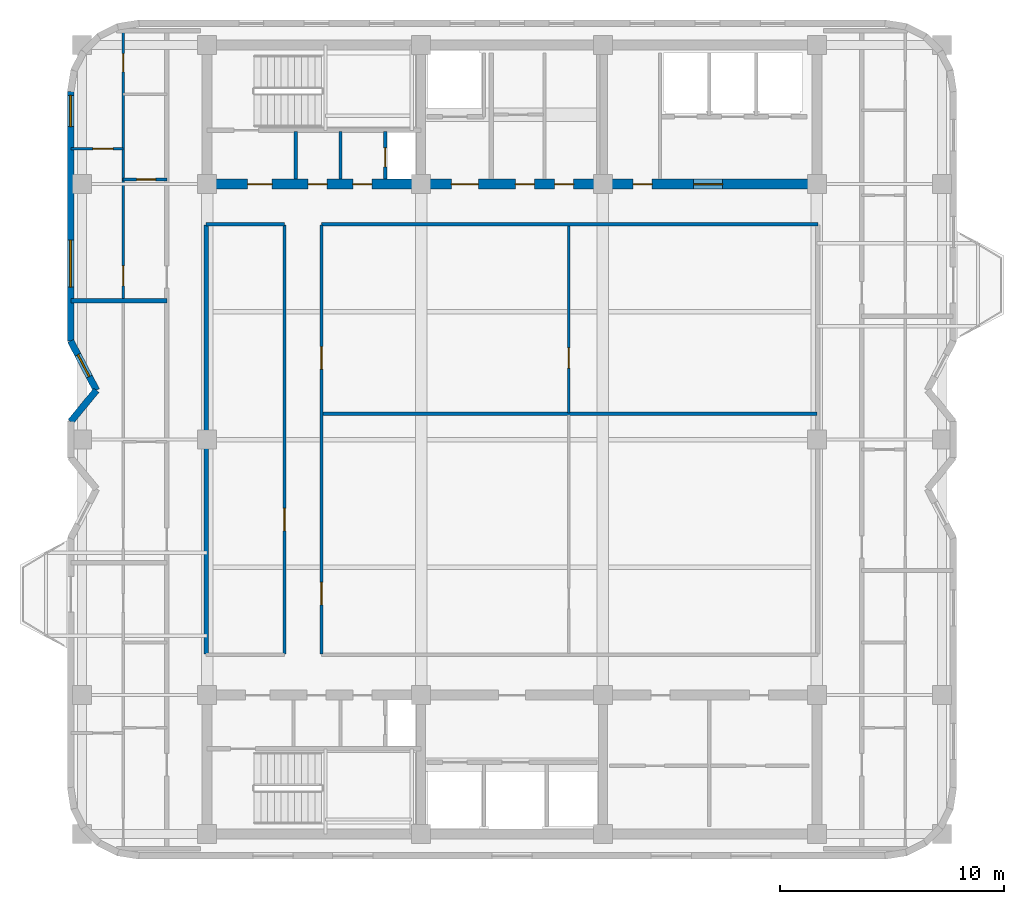
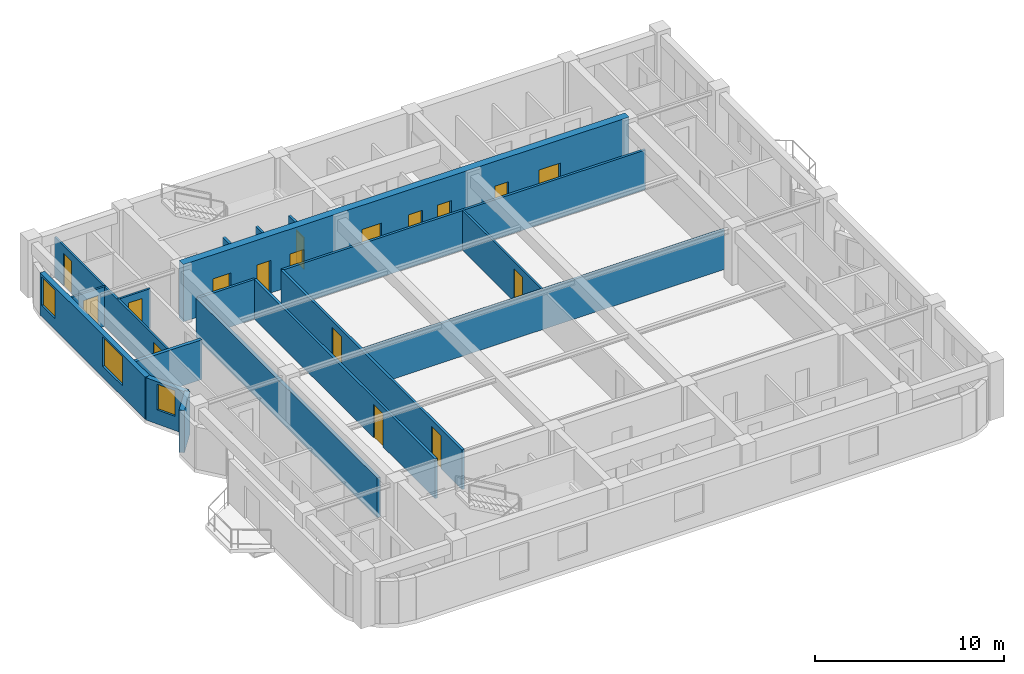
# One storey, part 4 of 9: 18 walls, 17 doors, 3 windows, 20 openings.
"""IFC4 building model written with IfcOpenShell, lengths in metres."""

from ifc_helpers import new_model, si_unit, direction, frame, frame_2d, origin, place, context, subcontext, project, spatial, rectangle, extrude, material, layer, layer_set, type_object, element, fill, save


model = new_model("IFC4")

# Units and contexts
model_context = context("Model", 3, precision=1e-05, world=origin(), true_north=direction((0.0, 1.0)))
body_context = subcontext(model_context, "Body", "Model", "MODEL_VIEW")
ifc_project = project(units=[si_unit("LENGTHUNIT", "METRE"), si_unit("AREAUNIT", "SQUARE_METRE"), si_unit("VOLUMEUNIT", "CUBIC_METRE"), si_unit("PLANEANGLEUNIT", "RADIAN"), si_unit("MASSUNIT", "GRAM", prefix="KILO")], contexts=[model_context])

# Site, building, storey
site_placement = place(None, origin())
site = spatial("IfcSite", under=ifc_project, at=site_placement, CompositionType="ELEMENT")
building_placement = place(site_placement, origin())
building = spatial("IfcBuilding", under=site, at=building_placement, Name="Svetorya Sky Lyceum", CompositionType="ELEMENT")
storey_placement = place(building_placement, frame((0.0, 0.0, 240.60009765625)))
storey = spatial("IfcBuildingStorey", under=building, at=storey_placement, Name="L60", CompositionType="ELEMENT", Elevation=240.60009765625)

# Wall, openings, doors
ifc_material_1 = material(Name="Concrete C50/60", Category="concrete")
ifc_layer_1 = layer(ifc_material_1, 0.449951171875)
ifc_layer_set_1 = layer_set([ifc_layer_1], Name="Concrete C50/60")
wall_type_1 = type_object("IfcWallType", Name="WL-CORE-450", PredefinedType="SHEAR", material=ifc_layer_set_1)
wall_1_placement = place(storey_placement, frame((52.800048828125, 39.60009765625, 0.0), z_axis=(0.0, 0.0, 1.0), x_axis=(-1.0, 0.0, 0.0)))
wall_1 = element("IfcWall", 1, at=wall_1_placement, inside=storey, type_object=wall_type_1, Name="L60 NC Inner Core Shear Wall", PredefinedType="SHEAR", context=body_context, shape_type="SweptSolid", body=[
    extrude(rectangle(XDim=27.199951171875, YDim=0.449951171875, at=frame_2d((13.60009765625, 0.0))), origin(), (0.0, 0.0, 1.0), 3.699951171875),
])
opening_1_placement = place(wall_1_placement, frame((24.300048828125, 0.0, 0.0)))
opening_1 = element("IfcOpeningElement", 2, at=opening_1_placement, cuts=wall_1, Name="Opening D-ST1", PredefinedType="OPENING", context=body_context, shape_type="SweptSolid", body=[
    extrude(rectangle(XDim=1.10009765625, YDim=2.14990234375, at=frame_2d((0.550048828125, 1.074951171875))), frame((0.0, 0.23486328125, 0.0), z_axis=(0.0, -1.0, 0.0), x_axis=(1.0, 0.0, 0.0)), (0.0, 0.0, 1.0), 0.469970703125),
])
opening_2_placement = place(wall_1_placement, frame((21.85009765625, 0.0, 0.0)))
opening_2 = element("IfcOpeningElement", 3, at=opening_2_placement, cuts=wall_1, Name="Opening D-CWC1", PredefinedType="OPENING", context=body_context, shape_type="SweptSolid", body=[
    extrude(rectangle(XDim=0.85009765625, YDim=2.10009765625, at=frame_2d((0.425048828125, 1.050048828125))), frame((0.0, 0.23486328125, 0.0), z_axis=(0.0, -1.0, 0.0), x_axis=(1.0, 0.0, 0.0)), (0.0, 0.0, 1.0), 0.469970703125),
])
opening_3_placement = place(wall_1_placement, frame((19.85009765625, 0.0, 0.0)))
opening_3 = element("IfcOpeningElement", 4, at=opening_3_placement, cuts=wall_1, Name="Opening D-CWC1", PredefinedType="OPENING", context=body_context, shape_type="SweptSolid", body=[
    extrude(rectangle(XDim=0.85009765625, YDim=2.10009765625, at=frame_2d((0.425048828125, 1.050048828125))), frame((0.0, 0.23486328125, 0.0), z_axis=(0.0, -1.0, 0.0), x_axis=(1.0, 0.0, 0.0)), (0.0, 0.0, 1.0), 0.469970703125),
])
opening_4_placement = place(wall_1_placement, frame((15.10009765625, 0.0, 0.0)))
opening_4 = element("IfcOpeningElement", 5, at=opening_4_placement, cuts=wall_1, Name="Opening D-FL1", PredefinedType="OPENING", context=body_context, shape_type="SweptSolid", body=[
    extrude(rectangle(XDim=1.199951171875, YDim=2.14990234375, at=frame_2d((0.60009765625, 1.074951171875))), frame((0.0, 0.23486328125, 0.0), z_axis=(0.0, -1.0, 0.0), x_axis=(1.0, 0.0, 0.0)), (0.0, 0.0, 1.0), 0.469970703125),
])
opening_5_placement = place(wall_1_placement, frame((12.60009765625, 0.0, 0.0)))
opening_5 = element("IfcOpeningElement", 6, at=opening_5_placement, cuts=wall_1, Name="Opening D-CWC1", PredefinedType="OPENING", context=body_context, shape_type="SweptSolid", body=[
    extrude(rectangle(XDim=0.85009765625, YDim=2.10009765625, at=frame_2d((0.425048828125, 1.050048828125))), frame((0.0, 0.23486328125, 0.0), z_axis=(0.0, -1.0, 0.0), x_axis=(1.0, 0.0, 0.0)), (0.0, 0.0, 1.0), 0.469970703125),
])
opening_6_placement = place(wall_1_placement, frame((10.85009765625, 0.0, 0.0)))
opening_6 = element("IfcOpeningElement", 7, at=opening_6_placement, cuts=wall_1, Name="Opening D-CWC1", PredefinedType="OPENING", context=body_context, shape_type="SweptSolid", body=[
    extrude(rectangle(XDim=0.85009765625, YDim=2.10009765625, at=frame_2d((0.425048828125, 1.050048828125))), frame((0.0, 0.23486328125, 0.0), z_axis=(0.0, -1.0, 0.0), x_axis=(1.0, 0.0, 0.0)), (0.0, 0.0, 1.0), 0.469970703125),
])
opening_7_placement = place(wall_1_placement, frame((7.35009765625, 0.0, 0.0)))
opening_7 = element("IfcOpeningElement", 8, at=opening_7_placement, cuts=wall_1, Name="Opening D-CWC1", PredefinedType="OPENING", context=body_context, shape_type="SweptSolid", body=[
    extrude(rectangle(XDim=0.85009765625, YDim=2.10009765625, at=frame_2d((0.425048828125, 1.050048828125))), frame((0.0, 0.23486328125, 0.0), z_axis=(0.0, -1.0, 0.0), x_axis=(1.0, 0.0, 0.0)), (0.0, 0.0, 1.0), 0.469970703125),
])
opening_8_placement = place(wall_1_placement, frame((4.199951171875, 0.0, 0.0)))
opening_8 = element("IfcOpeningElement", 9, at=opening_8_placement, cuts=wall_1, Name="Opening D-LB1", PredefinedType="OPENING", context=body_context, shape_type="SweptSolid", body=[
    extrude(rectangle(XDim=1.300048828125, YDim=2.199951171875, at=frame_2d((0.64990234375, 1.10009765625))), frame((0.0, 0.23486328125, 0.0), z_axis=(0.0, -1.0, 0.0), x_axis=(1.0, 0.0, 0.0)), (0.0, 0.0, 1.0), 0.469970703125),
])
ifc_material_2 = material(Name="Fire-rated galvanized steel core service closet door", Category="steel")
door_type_1 = type_object("IfcDoorType", Name="DR-CWET-850", OperationType="SINGLE_SWING_LEFT", PredefinedType="DOOR", material=ifc_material_2)
door_1_placement = place(opening_2_placement, origin())
door_1 = element("IfcDoor", 10, at=door_1_placement, inside=storey, type_object=door_type_1, Name="L60 North Cleaner Door", OperationType="SINGLE_SWING_RIGHT", OverallHeight=2.10009765625, OverallWidth=0.85009765625, PredefinedType="DOOR", context=body_context, shape_type="SweptSolid", body=[
    extrude(rectangle(XDim=0.85009765625, YDim=2.10009765625, at=frame_2d((0.425048828125, 1.050048828125))), frame((0.0, 0.02490234375, 0.0), z_axis=(0.0, -1.0, 0.0), x_axis=(1.0, 0.0, 0.0)), (0.0, 0.0, 1.0), 0.050048828125),
])
fill(opening_2, door_1)
door_2_placement = place(opening_3_placement, origin())
door_2 = element("IfcDoor", 11, at=door_2_placement, inside=storey, type_object=door_type_1, Name="L60 North Meter Door", OperationType="SINGLE_SWING_LEFT", OverallHeight=2.10009765625, OverallWidth=0.85009765625, PredefinedType="DOOR", context=body_context, shape_type="SweptSolid", body=[
    extrude(rectangle(XDim=0.85009765625, YDim=2.10009765625, at=frame_2d((0.425048828125, 1.050048828125))), frame((0.0, 0.02490234375, 0.0), z_axis=(0.0, -1.0, 0.0), x_axis=(1.0, 0.0, 0.0)), (0.0, 0.0, 1.0), 0.050048828125),
])
fill(opening_3, door_2)
door_3_placement = place(opening_5_placement, origin())
door_3 = element("IfcDoor", 12, at=door_3_placement, inside=storey, type_object=door_type_1, Name="L60 Cleaner Vestibule Door", OperationType="SINGLE_SWING_LEFT", OverallHeight=2.10009765625, OverallWidth=0.85009765625, PredefinedType="DOOR", context=body_context, shape_type="SweptSolid", body=[
    extrude(rectangle(XDim=0.85009765625, YDim=2.10009765625, at=frame_2d((0.425048828125, 1.050048828125))), frame((0.0, 0.02490234375, 0.0), z_axis=(0.0, -1.0, 0.0), x_axis=(1.0, 0.0, 0.0)), (0.0, 0.0, 1.0), 0.050048828125),
])
fill(opening_5, door_3)
door_4_placement = place(opening_6_placement, origin())
door_4 = element("IfcDoor", 13, at=door_4_placement, inside=storey, type_object=door_type_1, Name="L60 Upper Pram Store Door", OperationType="SINGLE_SWING_RIGHT", OverallHeight=2.10009765625, OverallWidth=0.85009765625, PredefinedType="DOOR", context=body_context, shape_type="SweptSolid", body=[
    extrude(rectangle(XDim=0.85009765625, YDim=2.10009765625, at=frame_2d((0.425048828125, 1.050048828125))), frame((0.0, 0.02490234375, 0.0), z_axis=(0.0, -1.0, 0.0), x_axis=(1.0, 0.0, 0.0)), (0.0, 0.0, 1.0), 0.050048828125),
])
fill(opening_6, door_4)
door_5_placement = place(opening_7_placement, origin())
door_5 = element("IfcDoor", 14, at=door_5_placement, inside=storey, type_object=door_type_1, Name="L60 High-Zone Utility Room Door", OperationType="SINGLE_SWING_LEFT", OverallHeight=2.10009765625, OverallWidth=0.85009765625, PredefinedType="DOOR", context=body_context, shape_type="SweptSolid", body=[
    extrude(rectangle(XDim=0.85009765625, YDim=2.10009765625, at=frame_2d((0.425048828125, 1.050048828125))), frame((0.0, 0.02490234375, 0.0), z_axis=(0.0, -1.0, 0.0), x_axis=(1.0, 0.0, 0.0)), (0.0, 0.0, 1.0), 0.050048828125),
])
fill(opening_7, door_5)
ifc_material_3 = material(Name="Powder-coated insulated galvanized stair fire door")
door_type_2 = type_object("IfcDoorType", Name="DR-FIRE-1100", OperationType="SINGLE_SWING_LEFT", PredefinedType="DOOR", material=ifc_material_3)
door_6_placement = place(opening_1_placement, origin())
door_6 = element("IfcDoor", 15, at=door_6_placement, inside=storey, type_object=door_type_2, Name="L60 North Stair Airlock Door", OperationType="SINGLE_SWING_LEFT", OverallHeight=2.14990234375, OverallWidth=1.10009765625, PredefinedType="DOOR", context=body_context, shape_type="SweptSolid", body=[
    extrude(rectangle(XDim=1.10009765625, YDim=2.14990234375, at=frame_2d((0.550048828125, 1.074951171875))), frame((0.0, 0.02490234375, 0.0), z_axis=(0.0, -1.0, 0.0), x_axis=(1.0, 0.0, 0.0)), (0.0, 0.0, 1.0), 0.050048828125),
])
fill(opening_1, door_6)
ifc_material_4 = material(Name="Powder-coated insulated galvanized fire door")
door_type_3 = type_object("IfcDoorType", Name="DR-FIRE-1200", OperationType="SINGLE_SWING_LEFT", PredefinedType="DOOR", material=ifc_material_4)
door_7_placement = place(opening_4_placement, origin())
door_7 = element("IfcDoor", 16, at=door_7_placement, inside=storey, type_object=door_type_3, Name="L60 North Firefighting Lift Lobby Door", OperationType="SINGLE_SWING_RIGHT", OverallHeight=2.14990234375, OverallWidth=1.199951171875, PredefinedType="DOOR", context=body_context, shape_type="SweptSolid", body=[
    extrude(rectangle(XDim=1.199951171875, YDim=2.14990234375, at=frame_2d((0.60009765625, 1.074951171875))), frame((0.0, 0.02490234375, 0.0), z_axis=(0.0, -1.0, 0.0), x_axis=(1.0, 0.0, 0.0)), (0.0, 0.0, 1.0), 0.050048828125),
])
fill(opening_4, door_7)
ifc_material_5 = material(Name="Glazed fire-rated aluminium lobby door", Category="aluminium")
door_type_4 = type_object("IfcDoorType", Name="DR-LOB-1300", OperationType="SINGLE_SWING_LEFT", PredefinedType="DOOR", material=ifc_material_5)
door_8_placement = place(opening_8_placement, origin())
door_8 = element("IfcDoor", 17, at=door_8_placement, inside=storey, type_object=door_type_4, Name="L60 North Passenger Lift Lobby Door", OperationType="SINGLE_SWING_LEFT", OverallHeight=2.199951171875, OverallWidth=1.300048828125, PredefinedType="DOOR", context=body_context, shape_type="SweptSolid", body=[
    extrude(rectangle(XDim=1.300048828125, YDim=2.199951171875, at=frame_2d((0.64990234375, 1.10009765625))), frame((0.0, 0.02490234375, 0.0), z_axis=(0.0, -1.0, 0.0), x_axis=(1.0, 0.0, 0.0)), (0.0, 0.0, 1.0), 0.050048828125),
])
fill(opening_8, door_8)

# Wall, openings, windows
ifc_material_6 = material(Name="Putilovo limestone rainscreen on autoclaved cellular masonry", Category="masonry")
ifc_layer_2 = layer(ifc_material_6, 0.300048828125)
ifc_layer_set_2 = layer_set([ifc_layer_2], Name="Putilovo limestone rainscreen on autoclaved cellular masonry")
wall_type_2 = type_object("IfcWallType", Name="WL-EXT-300", PredefinedType="SOLIDWALL", material=ifc_layer_set_2)
wall_2_placement = place(storey_placement, frame((19.510009765625, 43.719970703125, 0.0), z_axis=(0.0, 0.0, 1.0), x_axis=(0.0, -1.0, 0.0)))
wall_2 = element("IfcWall", 18, at=wall_2_placement, inside=storey, type_object=wall_type_2, Name="L60 Limestone Exterior Wall 30M", PredefinedType="SOLIDWALL", context=body_context, shape_type="SweptSolid", body=[
    extrude(rectangle(XDim=11.119873046875, YDim=0.300048828125, at=frame_2d((5.56005859375, 0.0))), origin(), (0.0, 0.0, 1.0), 2.72998046875),
])
opening_9_placement = place(wall_2_placement, frame((0.159912109375, 0.0, 0.719970703125)))
opening_9 = element("IfcOpeningElement", 19, at=opening_9_placement, cuts=wall_2, Name="Opening W-R2", PredefinedType="OPENING", context=body_context, shape_type="SweptSolid", body=[
    extrude(rectangle(XDim=1.39990234375, YDim=1.85009765625, at=frame_2d((0.699951171875, 0.925048828125))), frame((0.0, 0.159912109375, 0.0), z_axis=(0.0, -1.0, 0.0), x_axis=(1.0, 0.0, 0.0)), (0.0, 0.0, 1.0), 0.320068359375),
])
opening_10_placement = place(wall_2_placement, frame((6.614990234375, 0.0, 0.7099609375)))
opening_10 = element("IfcOpeningElement", 20, at=opening_10_placement, cuts=wall_2, Name="Opening W-R0", PredefinedType="OPENING", context=body_context, shape_type="SweptSolid", body=[
    extrude(rectangle(XDim=2.10009765625, YDim=1.89990234375, at=frame_2d((1.050048828125, 0.949951171875))), frame((0.0, 0.159912109375, 0.0), z_axis=(0.0, -1.0, 0.0), x_axis=(1.0, 0.0, 0.0)), (0.0, 0.0, 1.0), 0.320068359375),
])
ifc_material_7 = material(Name="Thermally broken aluminium frame with triple low-E glazing", Category="aluminium")
window_type_1 = type_object("IfcWindowType", Name="WN-RES-140", PartitioningType="SINGLE_PANEL", PredefinedType="WINDOW", material=ifc_material_7)
window_1_placement = place(opening_9_placement, origin())
window_1 = element("IfcWindow", 21, at=window_1_placement, inside=storey, type_object=window_type_1, Name="L60 Facade Window W-R2.30M.2", OverallHeight=1.85009765625, OverallWidth=1.39990234375, PartitioningType="SINGLE_PANEL", PredefinedType="WINDOW", context=body_context, shape_type="SweptSolid", body=[
    extrude(rectangle(XDim=1.39990234375, YDim=1.85009765625, at=frame_2d((0.699951171875, 0.925048828125))), frame((0.0, 0.030029296875, 0.0), z_axis=(0.0, -1.0, 0.0), x_axis=(1.0, 0.0, 0.0)), (0.0, 0.0, 1.0), 0.06005859375),
])
fill(opening_9, window_1)
window_type_2 = type_object("IfcWindowType", Name="WN-RES-210", PartitioningType="TRIPLE_PANEL_VERTICAL", PredefinedType="WINDOW", material=ifc_material_7)
window_2_placement = place(opening_10_placement, origin())
window_2 = element("IfcWindow", 22, at=window_2_placement, inside=storey, type_object=window_type_2, Name="L60 Facade Window W-R0.30M.1", OverallHeight=1.89990234375, OverallWidth=2.10009765625, PartitioningType="SINGLE_PANEL", PredefinedType="WINDOW", context=body_context, shape_type="SweptSolid", body=[
    extrude(rectangle(XDim=2.10009765625, YDim=1.89990234375, at=frame_2d((1.050048828125, 0.949951171875))), frame((0.0, 0.030029296875, 0.0), z_axis=(0.0, -1.0, 0.0), x_axis=(1.0, 0.0, 0.0)), (0.0, 0.0, 1.0), 0.06005859375),
])
fill(opening_10, window_2)

# Wall, opening, window
wall_3_placement = place(storey_placement, frame((19.510009765625, 32.60009765625, 0.0), z_axis=(0.0, 0.0, 1.0), x_axis=(0.463191013929, -0.88625847506, 0.0)))
wall_3 = element("IfcWall", 23, at=wall_3_placement, inside=storey, type_object=wall_type_2, Name="L60 Limestone Exterior Wall 31M", PredefinedType="SOLIDWALL", context=body_context, shape_type="SweptSolid", body=[
    extrude(rectangle(XDim=2.482666015625, YDim=0.300048828125, at=frame_2d((1.2412109375, 0.0))), origin(), (0.0, 0.0, 1.0), 2.72998046875),
])
opening_11_placement = place(wall_3_placement, frame((0.691162109375, 0.0, 0.919921875)))
opening_11 = element("IfcOpeningElement", 24, at=opening_11_placement, cuts=wall_3, Name="Opening W-R3", PredefinedType="OPENING", context=body_context, shape_type="SweptSolid", body=[
    extrude(rectangle(XDim=1.10009765625, YDim=1.64990234375, at=frame_2d((0.550048828125, 0.824951171875))), frame((0.0, 0.159912109375, 0.0), z_axis=(0.0, -1.0, 0.0), x_axis=(1.0, 0.0, 0.0)), (0.0, 0.0, 1.0), 0.320068359375),
])
window_type_3 = type_object("IfcWindowType", Name="WN-RES-110", PartitioningType="SINGLE_PANEL", PredefinedType="WINDOW", material=ifc_material_7)
window_3_placement = place(opening_11_placement, origin())
window_3 = element("IfcWindow", 25, at=window_3_placement, inside=storey, type_object=window_type_3, Name="L60 Facade Window W-R3.31M.1", OverallHeight=1.64990234375, OverallWidth=1.10009765625, PartitioningType="SINGLE_PANEL", PredefinedType="WINDOW", context=body_context, shape_type="SweptSolid", body=[
    extrude(rectangle(XDim=1.10009765625, YDim=1.64990234375, at=frame_2d((0.550048828125, 0.824951171875))), frame((0.0, 0.030029296875, 0.0), z_axis=(0.0, -1.0, 0.0), x_axis=(1.0, 0.0, 0.0)), (0.0, 0.0, 1.0), 0.06005859375),
])
fill(opening_11, window_3)

# Wall
wall_4_placement = place(storey_placement, frame((20.659912109375, 30.39990234375, 0.0), z_axis=(0.0, 0.0, 1.0), x_axis=(-0.634733675645, -0.772730975827, 0.0)))
element("IfcWall", 26, at=wall_4_placement, inside=storey, type_object=wall_type_2, Name="L60 Limestone Exterior Wall 32M", PredefinedType="SOLIDWALL", context=body_context, shape_type="SweptSolid", body=[
    extrude(rectangle(XDim=1.8115234375, YDim=0.300048828125, at=frame_2d((0.90576171875, 0.0))), origin(), (0.0, 0.0, 1.0), 2.72998046875),
])

# Wall, opening, door
ifc_material_8 = material(Name="Twin-stud galvanized framing with double fireboard", Category="gypsum")
ifc_layer_3 = layer(ifc_material_8, 0.1201171875)
ifc_layer_set_3 = layer_set([ifc_layer_3], Name="Twin-stud galvanized framing with double fireboard")
wall_type_3 = type_object("IfcWallType", Name="WL-PART-120", PredefinedType="PARTITIONING", material=ifc_layer_set_3)
wall_5_placement = place(storey_placement, frame((41.735107421875, 29.388427734375, 0.0), z_axis=(0.0, 0.0, 1.0), x_axis=(0.0, 1.0, 0.0)))
wall_5 = element("IfcWall", 27, at=wall_5_placement, inside=storey, type_object=wall_type_3, Name="L60 Interior Partition OFF-VEM2", PredefinedType="PARTITIONING", context=body_context, shape_type="SweptSolid", body=[
    extrude(rectangle(XDim=8.3515625, YDim=0.1201171875, at=frame_2d((4.17578125, 0.0))), origin(), (0.0, 0.0, 1.0), 2.559814453125),
])
opening_12_placement = place(wall_5_placement, frame((2.0, 0.0, 0.0)))
opening_12 = element("IfcOpeningElement", 28, at=opening_12_placement, cuts=wall_5, Name="Opening D-RM1", PredefinedType="OPENING", context=body_context, shape_type="SweptSolid", body=[
    extrude(rectangle(XDim=0.89990234375, YDim=2.10009765625, at=frame_2d((0.449951171875, 1.050048828125))), frame((0.0, 0.070068359375, 0.0), z_axis=(0.0, -1.0, 0.0), x_axis=(1.0, 0.0, 0.0)), (0.0, 0.0, 1.0), 0.14013671875),
])
ifc_material_9 = material(Name="Lacquered birch veneer internal door")
door_type_5 = type_object("IfcDoorType", Name="DR-INT-900", OperationType="SINGLE_SWING_LEFT", PredefinedType="DOOR", material=ifc_material_9)
door_9_placement = place(opening_12_placement, origin())
door_9 = element("IfcDoor", 29, at=door_9_placement, inside=storey, type_object=door_type_5, Name="L60 East Focus Door", OperationType="SINGLE_SWING_RIGHT", OverallHeight=2.10009765625, OverallWidth=0.89990234375, PredefinedType="DOOR", context=body_context, shape_type="SweptSolid", body=[
    extrude(rectangle(XDim=0.89990234375, YDim=2.10009765625, at=frame_2d((0.449951171875, 1.050048828125))), frame((0.0, 0.02490234375, 0.0), z_axis=(0.0, -1.0, 0.0), x_axis=(1.0, 0.0, 0.0)), (0.0, 0.0, 1.0), 0.050048828125),
])
fill(opening_12, door_9)

wall_6_placement = place(storey_placement, frame((21.85009765625, 39.804931640625, 0.0), z_axis=(0.0, 0.0, 1.0), x_axis=(1.0, 0.0, 0.0)))
wall_6 = element("IfcWall", 30, at=wall_6_placement, inside=storey, type_object=wall_type_3, Name="L60 Interior Partition W3-WH1", PredefinedType="PARTITIONING", context=body_context, shape_type="SweptSolid", body=[
    extrude(rectangle(XDim=1.949951171875, YDim=0.1201171875, at=frame_2d((0.97509765625, 0.0))), origin(), (0.0, 0.0, 1.0), 2.559814453125),
])
opening_13_placement = place(wall_6_placement, frame((0.60009765625, 0.0, 0.0)))
opening_13 = element("IfcOpeningElement", 31, at=opening_13_placement, cuts=wall_6, Name="Opening D-BT1", PredefinedType="OPENING", context=body_context, shape_type="SweptSolid", body=[
    extrude(rectangle(XDim=0.85009765625, YDim=2.10009765625, at=frame_2d((0.425048828125, 1.050048828125))), frame((0.0, 0.070068359375, 0.0), z_axis=(0.0, -1.0, 0.0), x_axis=(1.0, 0.0, 0.0)), (0.0, 0.0, 1.0), 0.14013671875),
])
ifc_material_10 = material(Name="Moisture-resistant laminate bathroom door")
door_type_6 = type_object("IfcDoorType", Name="DR-WET-850", OperationType="SINGLE_SWING_LEFT", PredefinedType="DOOR", material=ifc_material_10)
door_10_placement = place(opening_13_placement, origin())
door_10 = element("IfcDoor", 32, at=door_10_placement, inside=storey, type_object=door_type_6, Name="Apartment W3 Bathroom Door", OperationType="SINGLE_SWING_LEFT", OverallHeight=2.10009765625, OverallWidth=0.85009765625, PredefinedType="DOOR", context=body_context, shape_type="SweptSolid", body=[
    extrude(rectangle(XDim=0.85009765625, YDim=2.10009765625, at=frame_2d((0.425048828125, 1.050048828125))), frame((0.0, 0.02490234375, 0.0), z_axis=(0.0, -1.0, 0.0), x_axis=(1.0, 0.0, 0.0)), (0.0, 0.0, 1.0), 0.050048828125),
])
fill(opening_13, door_10)

wall_7_placement = place(storey_placement, frame((19.530029296875, 41.169921875, 0.0), z_axis=(0.0, 0.0, 1.0), x_axis=(1.0, 0.0, 0.0)))
wall_7 = element("IfcWall", 33, at=wall_7_placement, inside=storey, type_object=wall_type_3, Name="L60 Interior Partition W3-WL1", PredefinedType="PARTITIONING", context=body_context, shape_type="SweptSolid", body=[
    extrude(rectangle(XDim=2.320068359375, YDim=0.1201171875, at=frame_2d((1.16015625, 0.0))), origin(), (0.0, 0.0, 1.0), 2.559814453125),
])
opening_14_placement = place(wall_7_placement, frame((0.969970703125, 0.0, 0.0)))
opening_14 = element("IfcOpeningElement", 34, at=opening_14_placement, cuts=wall_7, Name="Opening D-RM1", PredefinedType="OPENING", context=body_context, shape_type="SweptSolid", body=[
    extrude(rectangle(XDim=0.89990234375, YDim=2.10009765625, at=frame_2d((0.449951171875, 1.050048828125))), frame((0.0, 0.070068359375, 0.0), z_axis=(0.0, -1.0, 0.0), x_axis=(1.0, 0.0, 0.0)), (0.0, 0.0, 1.0), 0.14013671875),
])
door_11_placement = place(opening_14_placement, origin())
door_11 = element("IfcDoor", 35, at=door_11_placement, inside=storey, type_object=door_type_5, Name="Apartment W3 Bedroom 1 Door", OperationType="SINGLE_SWING_LEFT", OverallHeight=2.10009765625, OverallWidth=0.89990234375, PredefinedType="DOOR", context=body_context, shape_type="SweptSolid", body=[
    extrude(rectangle(XDim=0.89990234375, YDim=2.10009765625, at=frame_2d((0.449951171875, 1.050048828125))), frame((0.0, 0.02490234375, 0.0), z_axis=(0.0, -1.0, 0.0), x_axis=(1.0, 0.0, 0.0)), (0.0, 0.0, 1.0), 0.050048828125),
])
fill(opening_14, door_11)

# Wall, openings, doors
wall_8_placement = place(storey_placement, frame((21.85009765625, 34.445068359375, 0.0), z_axis=(0.0, 0.0, 1.0), x_axis=(0.0, 1.0, 0.0)))
wall_8 = element("IfcWall", 36, at=wall_8_placement, inside=storey, type_object=wall_type_3, Name="L60 Interior Partition W3-WV", PredefinedType="PARTITIONING", context=body_context, shape_type="SweptSolid", body=[
    extrude(rectangle(XDim=11.96484375, YDim=0.1201171875, at=frame_2d((5.982421875, 0.0))), origin(), (0.0, 0.0, 1.0), 2.559814453125),
])
opening_15_placement = place(wall_8_placement, frame((0.610107421875, 0.0, 0.0)))
opening_15 = element("IfcOpeningElement", 37, at=opening_15_placement, cuts=wall_8, Name="Opening D-RM1", PredefinedType="OPENING", context=body_context, shape_type="SweptSolid", body=[
    extrude(rectangle(XDim=0.89990234375, YDim=2.10009765625, at=frame_2d((0.449951171875, 1.050048828125))), frame((0.0, 0.070068359375, 0.0), z_axis=(0.0, -1.0, 0.0), x_axis=(1.0, 0.0, 0.0)), (0.0, 0.0, 1.0), 0.14013671875),
])
opening_16_placement = place(wall_8_placement, frame((10.157470703125, 0.0, 0.0)))
opening_16 = element("IfcOpeningElement", 38, at=opening_16_placement, cuts=wall_8, Name="Opening D-BT2", PredefinedType="OPENING", context=body_context, shape_type="SweptSolid", body=[
    extrude(rectangle(XDim=0.820068359375, YDim=2.080078125, at=frame_2d((0.41015625, 1.0400390625))), frame((0.0, 0.070068359375, 0.0), z_axis=(0.0, -1.0, 0.0), x_axis=(1.0, 0.0, 0.0)), (0.0, 0.0, 1.0), 0.14013671875),
])
door_12_placement = place(opening_15_placement, origin())
door_12 = element("IfcDoor", 39, at=door_12_placement, inside=storey, type_object=door_type_5, Name="Apartment W3 Living Door", OperationType="SINGLE_SWING_RIGHT", OverallHeight=2.10009765625, OverallWidth=0.89990234375, PredefinedType="DOOR", context=body_context, shape_type="SweptSolid", body=[
    extrude(rectangle(XDim=0.89990234375, YDim=2.10009765625, at=frame_2d((0.449951171875, 1.050048828125))), frame((0.0, 0.02490234375, 0.0), z_axis=(0.0, -1.0, 0.0), x_axis=(1.0, 0.0, 0.0)), (0.0, 0.0, 1.0), 0.050048828125),
])
fill(opening_15, door_12)
ifc_material_11 = material(Name="Compact moisture-resistant laminate closet door")
door_type_7 = type_object("IfcDoorType", Name="DR-WET-820", OperationType="SINGLE_SWING_LEFT", PredefinedType="DOOR", material=ifc_material_11)
door_13_placement = place(opening_16_placement, origin())
door_13 = element("IfcDoor", 40, at=door_13_placement, inside=storey, type_object=door_type_7, Name="Apartment W3 Study Door", OperationType="SINGLE_SWING_LEFT", OverallHeight=2.080078125, OverallWidth=0.820068359375, PredefinedType="DOOR", context=body_context, shape_type="SweptSolid", body=[
    extrude(rectangle(XDim=0.820068359375, YDim=2.080078125, at=frame_2d((0.41015625, 1.0400390625))), frame((0.0, 0.02490234375, 0.0), z_axis=(0.0, -1.0, 0.0), x_axis=(1.0, 0.0, 0.0)), (0.0, 0.0, 1.0), 0.050048828125),
])
fill(opening_16, door_13)

# Wall, opening, door
ifc_material_12 = material(Name="Autoclaved cellular masonry blockwork with acoustic render", Category="masonry")
ifc_layer_4 = layer(ifc_material_12, 0.14990234375)
ifc_layer_set_4 = layer_set([ifc_layer_4], Name="Autoclaved cellular masonry blockwork with acoustic render")
wall_type_4 = type_object("IfcWallType", Name="WL-PART-150", PredefinedType="PARTITIONING", material=ifc_layer_set_4)
wall_9_placement = place(storey_placement, frame((33.550048828125, 39.820068359375, 0.0), z_axis=(0.0, 0.0, 1.0), x_axis=(0.0, 1.0, 0.0)))
wall_9 = element("IfcWall", 41, at=wall_9_placement, inside=storey, type_object=wall_type_4, Name="L60 Interior Partition NC-RSRW", PredefinedType="PARTITIONING", context=body_context, shape_type="SweptSolid", body=[
    extrude(rectangle(XDim=2.1298828125, YDim=0.14990234375, at=frame_2d((1.06494140625, 0.0))), origin(), (0.0, 0.0, 1.0), 2.559814453125),
])
opening_17_placement = place(wall_9_placement, frame((0.550048828125, 0.0, 0.0)))
opening_17 = element("IfcOpeningElement", 42, at=opening_17_placement, cuts=wall_9, Name="Opening D-SH1", PredefinedType="OPENING", context=body_context, shape_type="SweptSolid", body=[
    extrude(rectangle(XDim=0.85009765625, YDim=2.050048828125, at=frame_2d((0.425048828125, 1.02490234375))), frame((0.0, 0.0849609375, 0.0), z_axis=(0.0, -1.0, 0.0), x_axis=(1.0, 0.0, 0.0)), (0.0, 0.0, 1.0), 0.169921875),
])
ifc_material_13 = material(Name="Insulated galvanized riser inspection fire door")
door_type_8 = type_object("IfcDoorType", Name="DR-SHFT-850", OperationType="SINGLE_SWING_LEFT", PredefinedType="TRAPDOOR", material=ifc_material_13)
door_14_placement = place(opening_17_placement, origin())
door_14 = element("IfcDoor", 43, at=door_14_placement, inside=storey, type_object=door_type_8, Name="L60 North Riser Access Door", OperationType="SINGLE_SWING_LEFT", OverallHeight=2.050048828125, OverallWidth=0.85009765625, PredefinedType="TRAPDOOR", context=body_context, shape_type="SweptSolid", body=[
    extrude(rectangle(XDim=0.85009765625, YDim=2.050048828125, at=frame_2d((0.425048828125, 1.02490234375))), frame((0.0, 0.02490234375, 0.0), z_axis=(0.0, -1.0, 0.0), x_axis=(1.0, 0.0, 0.0)), (0.0, 0.0, 1.0), 0.050048828125),
])
fill(opening_17, door_14)

# Walls
for number, where, z_axis, x_axis, name in (
    (44, (29.550048828125, 39.820068359375, 0.0), (0.0, 0.0, 1.0), (0.0, 1.0, 0.0), "L60 Interior Partition NC-NWD1"),
    (45, (31.550048828125, 39.820068359375, 0.0), (0.0, 0.0, 1.0), (0.0, 1.0, 0.0), "L60 Interior Partition NC-NWD2"),
):
    element("IfcWall", number, at=place(storey_placement, frame(where, z_axis=z_axis, x_axis=x_axis)), inside=storey, type_object=wall_type_4, Name=name, PredefinedType="PARTITIONING", context=body_context, shape_type="SweptSolid", body=[
        extrude(rectangle(XDim=2.1298828125, YDim=0.14990234375, at=frame_2d((1.06494140625, 0.0))), origin(), (0.0, 0.0, 1.0), 2.559814453125),
    ])
wall_10_placement = place(storey_placement, frame((25.550048828125, 37.800048828125, 0.0), z_axis=(0.0, 0.0, 1.0), x_axis=(1.0, 0.0, 0.0)))
element("IfcWall", 46, at=wall_10_placement, inside=storey, type_object=wall_type_4, Name="L60 Interior Partition OFF-CN-W", PredefinedType="PARTITIONING", context=body_context, shape_type="SweptSolid", body=[
    extrude(rectangle(XDim=3.5, YDim=0.14990234375, at=frame_2d((1.75, 0.0))), origin(), (0.0, 0.0, 1.0), 2.559814453125),
])
wall_11_placement = place(storey_placement, frame((30.699951171875, 37.800048828125, 0.0), z_axis=(0.0, 0.0, 1.0), x_axis=(1.0, 0.0, 0.0)))
element("IfcWall", 47, at=wall_11_placement, inside=storey, type_object=wall_type_4, Name="L60 Interior Partition OFF-CN-E", PredefinedType="PARTITIONING", context=body_context, shape_type="SweptSolid", body=[
    extrude(rectangle(XDim=22.150146484375, YDim=0.14990234375, at=frame_2d((11.0751953125, 0.0))), origin(), (0.0, 0.0, 1.0), 2.559814453125),
])
wall_12_placement = place(storey_placement, frame((30.72998046875, 29.348388671875, 0.0), z_axis=(0.0, 0.0, 1.0), x_axis=(1.0, 0.0, 0.0)))
element("IfcWall", 48, at=wall_12_placement, inside=storey, type_object=wall_type_4, Name="L60 Interior Partition OFF-HE", PredefinedType="PARTITIONING", context=body_context, shape_type="SweptSolid", body=[
    extrude(rectangle(XDim=22.070068359375, YDim=0.14990234375, at=frame_2d((11.03515625, 0.0))), origin(), (0.0, 0.0, 1.0), 2.559814453125),
])

# Wall, opening, door
wall_13_placement = place(storey_placement, frame((29.050048828125, 18.6298828125, 0.0), z_axis=(0.0, 0.0, 1.0), x_axis=(0.0, 1.0, 0.0)))
wall_13 = element("IfcWall", 49, at=wall_13_placement, inside=storey, type_object=wall_type_4, Name="L60 Interior Partition OFF-VW", PredefinedType="PARTITIONING", context=body_context, shape_type="SweptSolid", body=[
    extrude(rectangle(XDim=19.14013671875, YDim=0.14990234375, at=frame_2d((9.570068359375, 0.0))), origin(), (0.0, 0.0, 1.0), 2.559814453125),
])
opening_18_placement = place(wall_13_placement, frame((5.5, 0.0, 0.0)))
opening_18 = element("IfcOpeningElement", 50, at=opening_18_placement, cuts=wall_13, Name="Opening D-RM2", PredefinedType="OPENING", context=body_context, shape_type="SweptSolid", body=[
    extrude(rectangle(XDim=1.0, YDim=2.14990234375, at=frame_2d((0.5, 1.074951171875))), frame((0.0, 0.0849609375, 0.0), z_axis=(0.0, -1.0, 0.0), x_axis=(1.0, 0.0, 0.0)), (0.0, 0.0, 1.0), 0.169921875),
])
ifc_material_14 = material(Name="Solid-core oak acoustic room door")
door_type_9 = type_object("IfcDoorType", Name="DR-INT-1000", OperationType="SINGLE_SWING_LEFT", PredefinedType="DOOR", material=ifc_material_14)
door_15_placement = place(opening_18_placement, origin())
door_15 = element("IfcDoor", 51, at=door_15_placement, inside=storey, type_object=door_type_9, Name="L60 West Office Door", OperationType="SINGLE_SWING_LEFT", OverallHeight=2.14990234375, OverallWidth=1.0, PredefinedType="DOOR", context=body_context, shape_type="SweptSolid", body=[
    extrude(rectangle(XDim=1.0, YDim=2.14990234375, at=frame_2d((0.5, 1.074951171875))), frame((0.0, 0.02490234375, 0.0), z_axis=(0.0, -1.0, 0.0), x_axis=(1.0, 0.0, 0.0)), (0.0, 0.0, 1.0), 0.050048828125),
])
fill(opening_18, door_15)

# Wall, openings, doors
wall_14_placement = place(storey_placement, frame((30.699951171875, 18.6298828125, 0.0), z_axis=(0.0, 0.0, 1.0), x_axis=(0.0, 1.0, 0.0)))
wall_14 = element("IfcWall", 52, at=wall_14_placement, inside=storey, type_object=wall_type_4, Name="L60 Interior Partition OFF-VE", PredefinedType="PARTITIONING", context=body_context, shape_type="SweptSolid", body=[
    extrude(rectangle(XDim=19.14013671875, YDim=0.14990234375, at=frame_2d((9.570068359375, 0.0))), origin(), (0.0, 0.0, 1.0), 2.559814453125),
])
opening_19_placement = place(wall_14_placement, frame((2.199951171875, 0.0, 0.0)))
opening_19 = element("IfcOpeningElement", 53, at=opening_19_placement, cuts=wall_14, Name="Opening D-RM2", PredefinedType="OPENING", context=body_context, shape_type="SweptSolid", body=[
    extrude(rectangle(XDim=1.0, YDim=2.14990234375, at=frame_2d((0.5, 1.074951171875))), frame((0.0, 0.0849609375, 0.0), z_axis=(0.0, -1.0, 0.0), x_axis=(1.0, 0.0, 0.0)), (0.0, 0.0, 1.0), 0.169921875),
])
opening_20_placement = place(wall_14_placement, frame((12.718505859375, 0.0, 0.0)))
opening_20 = element("IfcOpeningElement", 54, at=opening_20_placement, cuts=wall_14, Name="Opening D-RM2", PredefinedType="OPENING", context=body_context, shape_type="SweptSolid", body=[
    extrude(rectangle(XDim=1.0, YDim=2.14990234375, at=frame_2d((0.5, 1.074951171875))), frame((0.0, 0.0849609375, 0.0), z_axis=(0.0, -1.0, 0.0), x_axis=(1.0, 0.0, 0.0)), (0.0, 0.0, 1.0), 0.169921875),
])
door_16_placement = place(opening_19_placement, origin())
door_16 = element("IfcDoor", 55, at=door_16_placement, inside=storey, type_object=door_type_9, Name="L60 Meeting Door", OperationType="SINGLE_SWING_RIGHT", OverallHeight=2.14990234375, OverallWidth=1.0, PredefinedType="DOOR", context=body_context, shape_type="SweptSolid", body=[
    extrude(rectangle(XDim=1.0, YDim=2.14990234375, at=frame_2d((0.5, 1.074951171875))), frame((0.0, 0.02490234375, 0.0), z_axis=(0.0, -1.0, 0.0), x_axis=(1.0, 0.0, 0.0)), (0.0, 0.0, 1.0), 0.050048828125),
])
fill(opening_19, door_16)
door_17_placement = place(opening_20_placement, origin())
door_17 = element("IfcDoor", 56, at=door_17_placement, inside=storey, type_object=door_type_9, Name="L60 North Room Door", OperationType="SINGLE_SWING_LEFT", OverallHeight=2.14990234375, OverallWidth=1.0, PredefinedType="DOOR", context=body_context, shape_type="SweptSolid", body=[
    extrude(rectangle(XDim=1.0, YDim=2.14990234375, at=frame_2d((0.5, 1.074951171875))), frame((0.0, 0.02490234375, 0.0), z_axis=(0.0, -1.0, 0.0), x_axis=(1.0, 0.0, 0.0)), (0.0, 0.0, 1.0), 0.050048828125),
])
fill(opening_20, door_17)

# Walls
ifc_material_15 = material(Name="Autoclaved cellular masonry blockwork with gypsum plaster", Category="masonry")
ifc_layer_5 = layer(ifc_material_15, 0.199951171875)
ifc_layer_set_5 = layer_set([ifc_layer_5], Name="Autoclaved cellular masonry blockwork with gypsum plaster")
wall_type_5 = type_object("IfcWallType", Name="WL-PART-200", PredefinedType="PARTITIONING", material=ifc_layer_set_5)
wall_15_placement = place(storey_placement, frame((25.550048828125, 18.6298828125, 0.0), z_axis=(0.0, 0.0, 1.0), x_axis=(0.0, 1.0, 0.0)))
element("IfcWall", 57, at=wall_15_placement, inside=storey, type_object=wall_type_5, Name="L60 Interior Partition W-CEN-SEP", PredefinedType="PARTITIONING", context=body_context, shape_type="SweptSolid", body=[
    extrude(rectangle(XDim=19.14013671875, YDim=0.199951171875, at=frame_2d((9.570068359375, 0.0))), origin(), (0.0, 0.0, 1.0), 2.559814453125),
])
wall_16_placement = place(storey_placement, frame((19.530029296875, 34.405029296875, 0.0), z_axis=(0.0, 0.0, 1.0), x_axis=(1.0, 0.0, 0.0)))
element("IfcWall", 58, at=wall_16_placement, inside=storey, type_object=wall_type_5, Name="L60 Interior Partition W-PARTY-2", PredefinedType="PARTITIONING", context=body_context, shape_type="SweptSolid", body=[
    extrude(rectangle(XDim=4.27001953125, YDim=0.199951171875, at=frame_2d((2.135009765625, 0.0))), origin(), (0.0, 0.0, 1.0), 2.559814453125),
])

save(model, "model.ifc")
